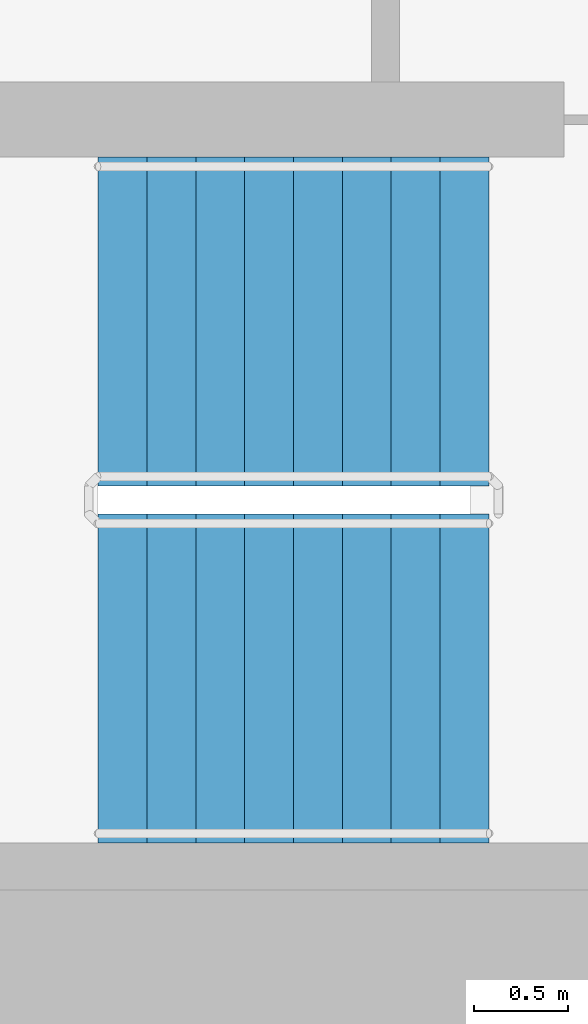
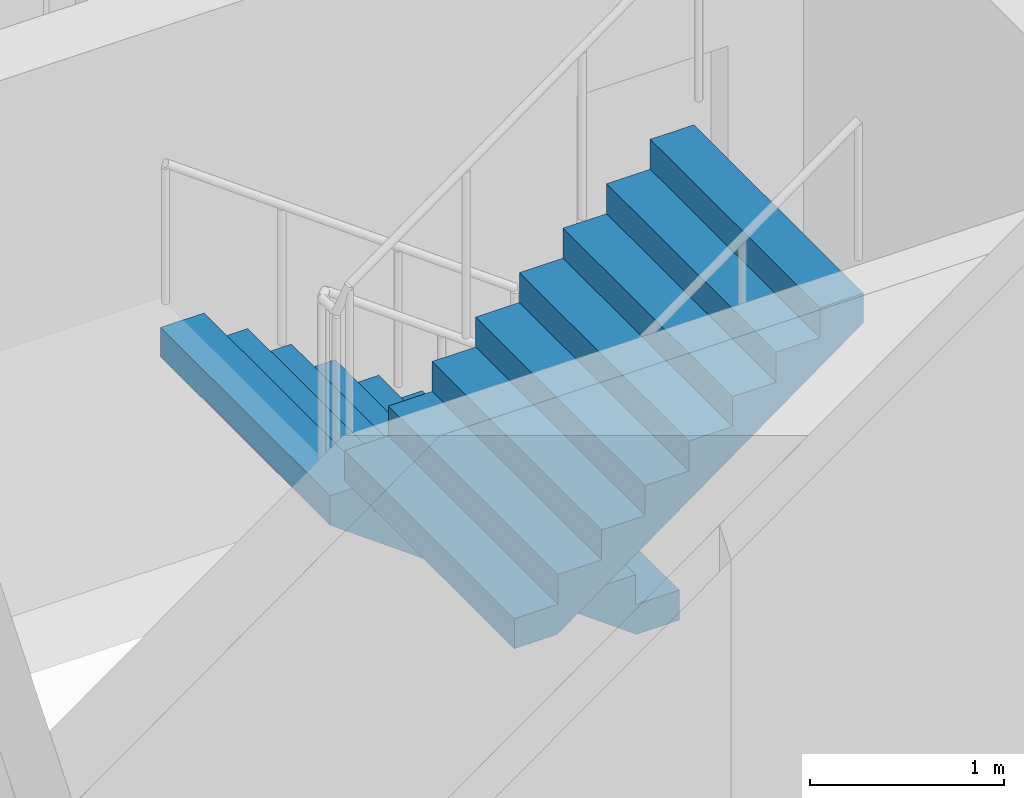
# One storey, part 14 of 20: 2 stair flights, 1 element without a shape of its own.
"""IFC4 building model written with IfcOpenShell, lengths in metres."""

from ifc_helpers import new_model, si_unit, direction, frame, origin, place, context, subcontext, project, spatial, faceted_brep, material, type_object, element, aggregate, save


model = new_model("IFC4")

# Units and contexts
model_context = context("Model", 3, precision=1e-05, world=origin(), true_north=direction((0.0, 1.0)))
body_context = subcontext(model_context, "Body", "Model", "MODEL_VIEW")
ifc_project = project(units=[si_unit("LENGTHUNIT", "METRE"), si_unit("AREAUNIT", "SQUARE_METRE"), si_unit("VOLUMEUNIT", "CUBIC_METRE"), si_unit("PLANEANGLEUNIT", "RADIAN"), si_unit("MASSUNIT", "GRAM", prefix="KILO")], contexts=[model_context])

# Site, building, storey
site_placement = place(None, origin())
site = spatial("IfcSite", under=ifc_project, at=site_placement, CompositionType="ELEMENT")
building_placement = place(site_placement, origin())
building = spatial("IfcBuilding", under=site, at=building_placement, Name="Ipe Terrace Towers", CompositionType="ELEMENT")
storey_placement = place(building_placement, frame((0.0, 0.0, 100.39990234375)))
storey = spatial("IfcBuildingStorey", under=building, at=storey_placement, Name="L27", CompositionType="ELEMENT", Elevation=100.39990234375)

# Stair, stair flights
ifc_material_1 = material(Name="Concrete C30/37", Category="concrete")
stair_type = type_object("IfcStairType", Name="Protected exit stair", PredefinedType="HALF_TURN_STAIR", material=ifc_material_1)
stair_placement = place(storey_placement, origin())
stair = element("IfcStair", 1, at=stair_placement, inside=storey, type_object=stair_type, Name="L27 Exit stair T1-C2", PredefinedType="HALF_TURN_STAIR")
ifc_material_2 = material(Name="Concrete C30/37", Category="concrete")
stair_flight_type = type_object("IfcStairFlightType", Name="Exit stair flight 1750", PredefinedType="STRAIGHT", material=ifc_material_2)
stair_flight_1_placement = place(storey_placement, frame((-45.699951171875, -2.77490234375, 0.0), z_axis=(0.0, 0.0, 1.0), x_axis=(-1.0, 0.0, 0.0)))
stair_flight_1 = element("IfcStairFlight", 2, at=stair_flight_1_placement, type_object=stair_flight_type, Name="T1-ST2 flight 1", NumberOfRisers=9, NumberOfTreads=8, PredefinedType="STRAIGHT", RiserHeight=0.188888889, TreadLength=0.26, context=body_context, shape_type="Brep", body=[
    faceted_brep([(0.255126953125, -0.875, 0.0), (2.080078125, -0.875, 1.325927734375), (2.080078125, -0.875, 1.51123046875), (1.820068359375, -0.875, 1.51123046875), (1.820068359375, -0.875, 1.322265625), (1.56005859375, -0.875, 1.322265625), (1.56005859375, -0.875, 1.13330078125), (1.300048828125, -0.875, 1.13330078125), (1.300048828125, -0.875, 0.9443359375), (1.0400390625, -0.875, 0.9443359375), (1.0400390625, -0.875, 0.755615234375), (0.780029296875, -0.875, 0.755615234375), (0.780029296875, -0.875, 0.566650390625), (0.52001953125, -0.875, 0.566650390625), (0.52001953125, -0.875, 0.377685546875), (0.260009765625, -0.875, 0.377685546875), (0.260009765625, -0.875, 0.18896484375), (0.0, -0.875, 0.18896484375), (0.0, -0.875, 0.0), (0.0, 0.875, 0.0), (0.0, 0.875, 0.18896484375), (0.260009765625, 0.875, 0.18896484375), (0.260009765625, 0.875, 0.377685546875), (0.52001953125, 0.875, 0.377685546875), (0.52001953125, 0.875, 0.566650390625), (0.780029296875, 0.875, 0.566650390625), (0.780029296875, 0.875, 0.755615234375), (1.0400390625, 0.875, 0.755615234375), (1.0400390625, 0.875, 0.9443359375), (1.300048828125, 0.875, 0.9443359375), (1.300048828125, 0.875, 1.13330078125), (1.56005859375, 0.875, 1.13330078125), (1.56005859375, 0.875, 1.322265625), (1.820068359375, 0.875, 1.322265625), (1.820068359375, 0.875, 1.51123046875), (2.080078125, 0.875, 1.51123046875), (2.080078125, 0.875, 1.325927734375), (0.255126953125, 0.875, 0.0), (0.0, -0.300048828125, 0.18896484375), (0.0, -0.1201171875, 0.18896484375), (0.0, -0.06005859375, 0.18896484375), (0.0, -0.030029296875, 0.18896484375), (0.0, -0.010009765625, 0.18896484375), (0.0, 0.0, 0.18896484375), (0.0, 0.010009765625, 0.18896484375), (0.0, 0.030029296875, 0.18896484375), (0.0, 0.06005859375, 0.18896484375), (0.0, 0.1201171875, 0.18896484375), (0.0, 0.300048828125, 0.18896484375), (0.0, 0.300048828125, 0.0), (0.0, 0.1201171875, 0.0), (0.0, 0.06005859375, 0.0), (0.0, 0.030029296875, 0.0), (0.0, 0.010009765625, 0.0), (0.0, 0.0, 0.0), (0.0, -0.010009765625, 0.0), (0.0, -0.030029296875, 0.0), (0.0, -0.06005859375, 0.0), (0.0, -0.1201171875, 0.0), (0.0, -0.300048828125, 0.0), (0.260009765625, -0.300048828125, 0.18896484375), (0.260009765625, -0.1201171875, 0.18896484375), (0.260009765625, -0.06005859375, 0.18896484375), (0.260009765625, -0.030029296875, 0.18896484375), (0.260009765625, -0.010009765625, 0.18896484375), (0.260009765625, 0.0, 0.18896484375), (0.260009765625, 0.010009765625, 0.18896484375), (0.260009765625, 0.030029296875, 0.18896484375), (0.260009765625, 0.06005859375, 0.18896484375), (0.260009765625, 0.1201171875, 0.18896484375), (0.260009765625, 0.300048828125, 0.18896484375), (0.260009765625, -0.300048828125, 0.377685546875), (0.260009765625, -0.1201171875, 0.377685546875), (0.260009765625, -0.06005859375, 0.377685546875), (0.260009765625, -0.030029296875, 0.377685546875), (0.260009765625, -0.010009765625, 0.377685546875), (0.260009765625, 0.0, 0.377685546875), (0.260009765625, 0.010009765625, 0.377685546875), (0.260009765625, 0.030029296875, 0.377685546875), (0.260009765625, 0.06005859375, 0.377685546875), (0.260009765625, 0.1201171875, 0.377685546875), (0.260009765625, 0.300048828125, 0.377685546875), (0.52001953125, -0.300048828125, 0.377685546875), (0.52001953125, -0.1201171875, 0.377685546875), (0.52001953125, -0.06005859375, 0.377685546875), (0.52001953125, -0.030029296875, 0.377685546875), (0.52001953125, -0.010009765625, 0.377685546875), (0.52001953125, 0.0, 0.377685546875), (0.52001953125, 0.010009765625, 0.377685546875), (0.52001953125, 0.030029296875, 0.377685546875), (0.52001953125, 0.06005859375, 0.377685546875), (0.52001953125, 0.1201171875, 0.377685546875), (0.52001953125, 0.300048828125, 0.377685546875), (0.52001953125, -0.300048828125, 0.566650390625), (0.52001953125, -0.1201171875, 0.566650390625), (0.52001953125, -0.06005859375, 0.566650390625), (0.52001953125, -0.030029296875, 0.566650390625), (0.52001953125, -0.010009765625, 0.566650390625), (0.52001953125, 0.0, 0.566650390625), (0.52001953125, 0.010009765625, 0.566650390625), (0.52001953125, 0.030029296875, 0.566650390625), (0.52001953125, 0.06005859375, 0.566650390625), (0.52001953125, 0.1201171875, 0.566650390625), (0.52001953125, 0.300048828125, 0.566650390625), (0.780029296875, -0.300048828125, 0.566650390625), (0.780029296875, -0.1201171875, 0.566650390625), (0.780029296875, -0.06005859375, 0.566650390625), (0.780029296875, -0.030029296875, 0.566650390625), (0.780029296875, -0.010009765625, 0.566650390625), (0.780029296875, 0.0, 0.566650390625), (0.780029296875, 0.010009765625, 0.566650390625), (0.780029296875, 0.030029296875, 0.566650390625), (0.780029296875, 0.06005859375, 0.566650390625), (0.780029296875, 0.1201171875, 0.566650390625), (0.780029296875, 0.300048828125, 0.566650390625), (0.780029296875, -0.300048828125, 0.755615234375), (0.780029296875, -0.1201171875, 0.755615234375), (0.780029296875, -0.06005859375, 0.755615234375), (0.780029296875, -0.030029296875, 0.755615234375), (0.780029296875, -0.010009765625, 0.755615234375), (0.780029296875, 0.0, 0.755615234375), (0.780029296875, 0.010009765625, 0.755615234375), (0.780029296875, 0.030029296875, 0.755615234375), (0.780029296875, 0.06005859375, 0.755615234375), (0.780029296875, 0.1201171875, 0.755615234375), (0.780029296875, 0.300048828125, 0.755615234375), (1.0400390625, -0.300048828125, 0.755615234375), (1.0400390625, -0.1201171875, 0.755615234375), (1.0400390625, -0.06005859375, 0.755615234375), (1.0400390625, -0.030029296875, 0.755615234375), (1.0400390625, -0.010009765625, 0.755615234375), (1.0400390625, 0.0, 0.755615234375), (1.0400390625, 0.010009765625, 0.755615234375), (1.0400390625, 0.030029296875, 0.755615234375), (1.0400390625, 0.06005859375, 0.755615234375), (1.0400390625, 0.1201171875, 0.755615234375), (1.0400390625, 0.300048828125, 0.755615234375), (1.0400390625, -0.300048828125, 0.9443359375), (1.0400390625, -0.1201171875, 0.9443359375), (1.0400390625, -0.06005859375, 0.9443359375), (1.0400390625, -0.030029296875, 0.9443359375), (1.0400390625, -0.010009765625, 0.9443359375), (1.0400390625, 0.0, 0.9443359375), (1.0400390625, 0.010009765625, 0.9443359375), (1.0400390625, 0.030029296875, 0.9443359375), (1.0400390625, 0.06005859375, 0.9443359375), (1.0400390625, 0.1201171875, 0.9443359375), (1.0400390625, 0.300048828125, 0.9443359375), (1.300048828125, -0.300048828125, 0.9443359375), (1.300048828125, -0.1201171875, 0.9443359375), (1.300048828125, -0.06005859375, 0.9443359375), (1.300048828125, -0.030029296875, 0.9443359375), (1.300048828125, -0.010009765625, 0.9443359375), (1.300048828125, 0.0, 0.9443359375), (1.300048828125, 0.010009765625, 0.9443359375), (1.300048828125, 0.030029296875, 0.9443359375), (1.300048828125, 0.06005859375, 0.9443359375), (1.300048828125, 0.1201171875, 0.9443359375), (1.300048828125, 0.300048828125, 0.9443359375), (1.300048828125, -0.300048828125, 1.13330078125), (1.300048828125, -0.1201171875, 1.13330078125), (1.300048828125, -0.06005859375, 1.13330078125), (1.300048828125, -0.030029296875, 1.13330078125), (1.300048828125, -0.010009765625, 1.13330078125), (1.300048828125, 0.0, 1.13330078125), (1.300048828125, 0.010009765625, 1.13330078125), (1.300048828125, 0.030029296875, 1.13330078125), (1.300048828125, 0.06005859375, 1.13330078125), (1.300048828125, 0.1201171875, 1.13330078125), (1.300048828125, 0.300048828125, 1.13330078125), (1.56005859375, -0.300048828125, 1.13330078125), (1.56005859375, -0.1201171875, 1.13330078125), (1.56005859375, -0.06005859375, 1.13330078125), (1.56005859375, -0.030029296875, 1.13330078125), (1.56005859375, -0.010009765625, 1.13330078125), (1.56005859375, 0.0, 1.13330078125), (1.56005859375, 0.010009765625, 1.13330078125), (1.56005859375, 0.030029296875, 1.13330078125), (1.56005859375, 0.06005859375, 1.13330078125), (1.56005859375, 0.1201171875, 1.13330078125), (1.56005859375, 0.300048828125, 1.13330078125), (1.56005859375, -0.300048828125, 1.322265625), (1.56005859375, -0.1201171875, 1.322265625), (1.56005859375, -0.06005859375, 1.322265625), (1.56005859375, -0.030029296875, 1.322265625), (1.56005859375, -0.010009765625, 1.322265625), (1.56005859375, 0.0, 1.322265625), (1.56005859375, 0.010009765625, 1.322265625), (1.56005859375, 0.030029296875, 1.322265625), (1.56005859375, 0.06005859375, 1.322265625), (1.56005859375, 0.1201171875, 1.322265625), (1.56005859375, 0.300048828125, 1.322265625), (1.820068359375, -0.300048828125, 1.322265625), (1.820068359375, -0.1201171875, 1.322265625), (1.820068359375, -0.06005859375, 1.322265625), (1.820068359375, -0.030029296875, 1.322265625), (1.820068359375, -0.010009765625, 1.322265625), (1.820068359375, 0.0, 1.322265625), (1.820068359375, 0.010009765625, 1.322265625), (1.820068359375, 0.030029296875, 1.322265625), (1.820068359375, 0.06005859375, 1.322265625), (1.820068359375, 0.1201171875, 1.322265625), (1.820068359375, 0.300048828125, 1.322265625), (1.820068359375, -0.300048828125, 1.51123046875), (1.820068359375, -0.1201171875, 1.51123046875), (1.820068359375, -0.06005859375, 1.51123046875), (1.820068359375, -0.030029296875, 1.51123046875), (1.820068359375, -0.010009765625, 1.51123046875), (1.820068359375, 0.0, 1.51123046875), (1.820068359375, 0.010009765625, 1.51123046875), (1.820068359375, 0.030029296875, 1.51123046875), (1.820068359375, 0.06005859375, 1.51123046875), (1.820068359375, 0.1201171875, 1.51123046875), (1.820068359375, 0.300048828125, 1.51123046875), (2.080078125, -0.300048828125, 1.51123046875), (2.080078125, -0.1201171875, 1.51123046875), (2.080078125, -0.06005859375, 1.51123046875), (2.080078125, -0.030029296875, 1.51123046875), (2.080078125, -0.010009765625, 1.51123046875), (2.080078125, 0.0, 1.51123046875), (2.080078125, 0.010009765625, 1.51123046875), (2.080078125, 0.030029296875, 1.51123046875), (2.080078125, 0.06005859375, 1.51123046875), (2.080078125, 0.1201171875, 1.51123046875), (2.080078125, 0.300048828125, 1.51123046875), (2.080078125, -0.300048828125, 1.325927734375), (2.080078125, -0.1201171875, 1.325927734375), (2.080078125, -0.06005859375, 1.325927734375), (2.080078125, -0.030029296875, 1.325927734375), (2.080078125, -0.010009765625, 1.325927734375), (2.080078125, 0.0, 1.325927734375), (2.080078125, 0.010009765625, 1.325927734375), (2.080078125, 0.030029296875, 1.325927734375), (2.080078125, 0.06005859375, 1.325927734375), (2.080078125, 0.1201171875, 1.325927734375), (2.080078125, 0.300048828125, 1.325927734375), (0.255126953125, -0.300048828125, 0.0), (0.255126953125, -0.1201171875, 0.0), (0.255126953125, -0.06005859375, 0.0), (0.255126953125, -0.030029296875, 0.0), (0.255126953125, -0.010009765625, 0.0), (0.255126953125, 0.0, 0.0), (0.255126953125, 0.010009765625, 0.0), (0.255126953125, 0.030029296875, 0.0), (0.255126953125, 0.06005859375, 0.0), (0.255126953125, 0.1201171875, 0.0), (0.255126953125, 0.300048828125, 0.0)], [[[0, 1, 2, 3, 4, 5, 6, 7, 8, 9, 10, 11, 12, 13, 14, 15, 16, 17, 18]], [[19, 20, 21, 22, 23, 24, 25, 26, 27, 28, 29, 30, 31, 32, 33, 34, 35, 36, 37]], [[17, 38, 39, 40, 41, 42, 43, 44, 45, 46, 47, 48, 20, 19, 49, 50, 51, 52, 53, 54, 55, 56, 57, 58, 59, 18]], [[16, 60, 61, 62, 63, 64, 65, 66, 67, 68, 69, 70, 21, 20, 48, 47, 46, 45, 44, 43, 42, 41, 40, 39, 38, 17]], [[15, 71, 72, 73, 74, 75, 76, 77, 78, 79, 80, 81, 22, 21, 70, 69, 68, 67, 66, 65, 64, 63, 62, 61, 60, 16]], [[14, 82, 83, 84, 85, 86, 87, 88, 89, 90, 91, 92, 23, 22, 81, 80, 79, 78, 77, 76, 75, 74, 73, 72, 71, 15]], [[13, 93, 94, 95, 96, 97, 98, 99, 100, 101, 102, 103, 24, 23, 92, 91, 90, 89, 88, 87, 86, 85, 84, 83, 82, 14]], [[12, 104, 105, 106, 107, 108, 109, 110, 111, 112, 113, 114, 25, 24, 103, 102, 101, 100, 99, 98, 97, 96, 95, 94, 93, 13]], [[11, 115, 116, 117, 118, 119, 120, 121, 122, 123, 124, 125, 26, 25, 114, 113, 112, 111, 110, 109, 108, 107, 106, 105, 104, 12]], [[10, 126, 127, 128, 129, 130, 131, 132, 133, 134, 135, 136, 27, 26, 125, 124, 123, 122, 121, 120, 119, 118, 117, 116, 115, 11]], [[9, 137, 138, 139, 140, 141, 142, 143, 144, 145, 146, 147, 28, 27, 136, 135, 134, 133, 132, 131, 130, 129, 128, 127, 126, 10]], [[8, 148, 149, 150, 151, 152, 153, 154, 155, 156, 157, 158, 29, 28, 147, 146, 145, 144, 143, 142, 141, 140, 139, 138, 137, 9]], [[7, 159, 160, 161, 162, 163, 164, 165, 166, 167, 168, 169, 30, 29, 158, 157, 156, 155, 154, 153, 152, 151, 150, 149, 148, 8]], [[6, 170, 171, 172, 173, 174, 175, 176, 177, 178, 179, 180, 31, 30, 169, 168, 167, 166, 165, 164, 163, 162, 161, 160, 159, 7]], [[5, 181, 182, 183, 184, 185, 186, 187, 188, 189, 190, 191, 32, 31, 180, 179, 178, 177, 176, 175, 174, 173, 172, 171, 170, 6]], [[4, 192, 193, 194, 195, 196, 197, 198, 199, 200, 201, 202, 33, 32, 191, 190, 189, 188, 187, 186, 185, 184, 183, 182, 181, 5]], [[3, 203, 204, 205, 206, 207, 208, 209, 210, 211, 212, 213, 34, 33, 202, 201, 200, 199, 198, 197, 196, 195, 194, 193, 192, 4]], [[2, 214, 215, 216, 217, 218, 219, 220, 221, 222, 223, 224, 35, 34, 213, 212, 211, 210, 209, 208, 207, 206, 205, 204, 203, 3]], [[1, 225, 226, 227, 228, 229, 230, 231, 232, 233, 234, 235, 36, 35, 224, 223, 222, 221, 220, 219, 218, 217, 216, 215, 214, 2]], [[0, 236, 237, 238, 239, 240, 241, 242, 243, 244, 245, 246, 37, 36, 235, 234, 233, 232, 231, 230, 229, 228, 227, 226, 225, 1]], [[18, 59, 58, 57, 56, 55, 54, 53, 52, 51, 50, 49, 19, 37, 246, 245, 244, 243, 242, 241, 240, 239, 238, 237, 236, 0]]]),
])
stair_flight_2_placement = place(storey_placement, frame((-47.780029296875, -4.675048828125, 1.7001953125), z_axis=(0.0, 0.0, 1.0), x_axis=(1.0, 0.0, 0.0)))
stair_flight_2 = element("IfcStairFlight", 3, at=stair_flight_2_placement, type_object=stair_flight_type, Name="T1-ST2 flight 2", NumberOfRisers=9, NumberOfTreads=8, PredefinedType="STRAIGHT", RiserHeight=0.188888889, TreadLength=0.26, context=body_context, shape_type="Brep", body=[
    faceted_brep([(0.255126953125, -0.875, 0.0), (2.080078125, -0.875, 1.325927734375), (2.080078125, -0.875, 1.51123046875), (1.820068359375, -0.875, 1.51123046875), (1.820068359375, -0.875, 1.322265625), (1.56005859375, -0.875, 1.322265625), (1.56005859375, -0.875, 1.13330078125), (1.300048828125, -0.875, 1.13330078125), (1.300048828125, -0.875, 0.9443359375), (1.0400390625, -0.875, 0.9443359375), (1.0400390625, -0.875, 0.755615234375), (0.780029296875, -0.875, 0.755615234375), (0.780029296875, -0.875, 0.566650390625), (0.52001953125, -0.875, 0.566650390625), (0.52001953125, -0.875, 0.377685546875), (0.260009765625, -0.875, 0.377685546875), (0.260009765625, -0.875, 0.18896484375), (0.0, -0.875, 0.18896484375), (0.0, -0.875, 0.0), (0.0, 0.875, 0.0), (0.0, 0.875, 0.18896484375), (0.260009765625, 0.875, 0.18896484375), (0.260009765625, 0.875, 0.377685546875), (0.52001953125, 0.875, 0.377685546875), (0.52001953125, 0.875, 0.566650390625), (0.780029296875, 0.875, 0.566650390625), (0.780029296875, 0.875, 0.755615234375), (1.0400390625, 0.875, 0.755615234375), (1.0400390625, 0.875, 0.9443359375), (1.300048828125, 0.875, 0.9443359375), (1.300048828125, 0.875, 1.13330078125), (1.56005859375, 0.875, 1.13330078125), (1.56005859375, 0.875, 1.322265625), (1.820068359375, 0.875, 1.322265625), (1.820068359375, 0.875, 1.51123046875), (2.080078125, 0.875, 1.51123046875), (2.080078125, 0.875, 1.325927734375), (0.255126953125, 0.875, 0.0), (0.0, -0.300048828125, 0.18896484375), (0.0, -0.1201171875, 0.18896484375), (0.0, -0.06005859375, 0.18896484375), (0.0, -0.030029296875, 0.18896484375), (0.0, -0.010009765625, 0.18896484375), (0.0, 0.0, 0.18896484375), (0.0, 0.010009765625, 0.18896484375), (0.0, 0.030029296875, 0.18896484375), (0.0, 0.06005859375, 0.18896484375), (0.0, 0.1201171875, 0.18896484375), (0.0, 0.300048828125, 0.18896484375), (0.0, 0.300048828125, 0.0), (0.0, 0.1201171875, 0.0), (0.0, 0.06005859375, 0.0), (0.0, 0.030029296875, 0.0), (0.0, 0.010009765625, 0.0), (0.0, 0.0, 0.0), (0.0, -0.010009765625, 0.0), (0.0, -0.030029296875, 0.0), (0.0, -0.06005859375, 0.0), (0.0, -0.1201171875, 0.0), (0.0, -0.300048828125, 0.0), (0.260009765625, -0.300048828125, 0.18896484375), (0.260009765625, -0.1201171875, 0.18896484375), (0.260009765625, -0.06005859375, 0.18896484375), (0.260009765625, -0.030029296875, 0.18896484375), (0.260009765625, -0.010009765625, 0.18896484375), (0.260009765625, 0.0, 0.18896484375), (0.260009765625, 0.010009765625, 0.18896484375), (0.260009765625, 0.030029296875, 0.18896484375), (0.260009765625, 0.06005859375, 0.18896484375), (0.260009765625, 0.1201171875, 0.18896484375), (0.260009765625, 0.300048828125, 0.18896484375), (0.260009765625, -0.300048828125, 0.377685546875), (0.260009765625, -0.1201171875, 0.377685546875), (0.260009765625, -0.06005859375, 0.377685546875), (0.260009765625, -0.030029296875, 0.377685546875), (0.260009765625, -0.010009765625, 0.377685546875), (0.260009765625, 0.0, 0.377685546875), (0.260009765625, 0.010009765625, 0.377685546875), (0.260009765625, 0.030029296875, 0.377685546875), (0.260009765625, 0.06005859375, 0.377685546875), (0.260009765625, 0.1201171875, 0.377685546875), (0.260009765625, 0.300048828125, 0.377685546875), (0.52001953125, -0.300048828125, 0.377685546875), (0.52001953125, -0.1201171875, 0.377685546875), (0.52001953125, -0.06005859375, 0.377685546875), (0.52001953125, -0.030029296875, 0.377685546875), (0.52001953125, -0.010009765625, 0.377685546875), (0.52001953125, 0.0, 0.377685546875), (0.52001953125, 0.010009765625, 0.377685546875), (0.52001953125, 0.030029296875, 0.377685546875), (0.52001953125, 0.06005859375, 0.377685546875), (0.52001953125, 0.1201171875, 0.377685546875), (0.52001953125, 0.300048828125, 0.377685546875), (0.52001953125, -0.300048828125, 0.566650390625), (0.52001953125, -0.1201171875, 0.566650390625), (0.52001953125, -0.06005859375, 0.566650390625), (0.52001953125, -0.030029296875, 0.566650390625), (0.52001953125, -0.010009765625, 0.566650390625), (0.52001953125, 0.0, 0.566650390625), (0.52001953125, 0.010009765625, 0.566650390625), (0.52001953125, 0.030029296875, 0.566650390625), (0.52001953125, 0.06005859375, 0.566650390625), (0.52001953125, 0.1201171875, 0.566650390625), (0.52001953125, 0.300048828125, 0.566650390625), (0.780029296875, -0.300048828125, 0.566650390625), (0.780029296875, -0.1201171875, 0.566650390625), (0.780029296875, -0.06005859375, 0.566650390625), (0.780029296875, -0.030029296875, 0.566650390625), (0.780029296875, -0.010009765625, 0.566650390625), (0.780029296875, 0.0, 0.566650390625), (0.780029296875, 0.010009765625, 0.566650390625), (0.780029296875, 0.030029296875, 0.566650390625), (0.780029296875, 0.06005859375, 0.566650390625), (0.780029296875, 0.1201171875, 0.566650390625), (0.780029296875, 0.300048828125, 0.566650390625), (0.780029296875, -0.300048828125, 0.755615234375), (0.780029296875, -0.1201171875, 0.755615234375), (0.780029296875, -0.06005859375, 0.755615234375), (0.780029296875, -0.030029296875, 0.755615234375), (0.780029296875, -0.010009765625, 0.755615234375), (0.780029296875, 0.0, 0.755615234375), (0.780029296875, 0.010009765625, 0.755615234375), (0.780029296875, 0.030029296875, 0.755615234375), (0.780029296875, 0.06005859375, 0.755615234375), (0.780029296875, 0.1201171875, 0.755615234375), (0.780029296875, 0.300048828125, 0.755615234375), (1.0400390625, -0.300048828125, 0.755615234375), (1.0400390625, -0.1201171875, 0.755615234375), (1.0400390625, -0.06005859375, 0.755615234375), (1.0400390625, -0.030029296875, 0.755615234375), (1.0400390625, -0.010009765625, 0.755615234375), (1.0400390625, 0.0, 0.755615234375), (1.0400390625, 0.010009765625, 0.755615234375), (1.0400390625, 0.030029296875, 0.755615234375), (1.0400390625, 0.06005859375, 0.755615234375), (1.0400390625, 0.1201171875, 0.755615234375), (1.0400390625, 0.300048828125, 0.755615234375), (1.0400390625, -0.300048828125, 0.9443359375), (1.0400390625, -0.1201171875, 0.9443359375), (1.0400390625, -0.06005859375, 0.9443359375), (1.0400390625, -0.030029296875, 0.9443359375), (1.0400390625, -0.010009765625, 0.9443359375), (1.0400390625, 0.0, 0.9443359375), (1.0400390625, 0.010009765625, 0.9443359375), (1.0400390625, 0.030029296875, 0.9443359375), (1.0400390625, 0.06005859375, 0.9443359375), (1.0400390625, 0.1201171875, 0.9443359375), (1.0400390625, 0.300048828125, 0.9443359375), (1.300048828125, -0.300048828125, 0.9443359375), (1.300048828125, -0.1201171875, 0.9443359375), (1.300048828125, -0.06005859375, 0.9443359375), (1.300048828125, -0.030029296875, 0.9443359375), (1.300048828125, -0.010009765625, 0.9443359375), (1.300048828125, 0.0, 0.9443359375), (1.300048828125, 0.010009765625, 0.9443359375), (1.300048828125, 0.030029296875, 0.9443359375), (1.300048828125, 0.06005859375, 0.9443359375), (1.300048828125, 0.1201171875, 0.9443359375), (1.300048828125, 0.300048828125, 0.9443359375), (1.300048828125, -0.300048828125, 1.13330078125), (1.300048828125, -0.1201171875, 1.13330078125), (1.300048828125, -0.06005859375, 1.13330078125), (1.300048828125, -0.030029296875, 1.13330078125), (1.300048828125, -0.010009765625, 1.13330078125), (1.300048828125, 0.0, 1.13330078125), (1.300048828125, 0.010009765625, 1.13330078125), (1.300048828125, 0.030029296875, 1.13330078125), (1.300048828125, 0.06005859375, 1.13330078125), (1.300048828125, 0.1201171875, 1.13330078125), (1.300048828125, 0.300048828125, 1.13330078125), (1.56005859375, -0.300048828125, 1.13330078125), (1.56005859375, -0.1201171875, 1.13330078125), (1.56005859375, -0.06005859375, 1.13330078125), (1.56005859375, -0.030029296875, 1.13330078125), (1.56005859375, -0.010009765625, 1.13330078125), (1.56005859375, 0.0, 1.13330078125), (1.56005859375, 0.010009765625, 1.13330078125), (1.56005859375, 0.030029296875, 1.13330078125), (1.56005859375, 0.06005859375, 1.13330078125), (1.56005859375, 0.1201171875, 1.13330078125), (1.56005859375, 0.300048828125, 1.13330078125), (1.56005859375, -0.300048828125, 1.322265625), (1.56005859375, -0.1201171875, 1.322265625), (1.56005859375, -0.06005859375, 1.322265625), (1.56005859375, -0.030029296875, 1.322265625), (1.56005859375, -0.010009765625, 1.322265625), (1.56005859375, 0.0, 1.322265625), (1.56005859375, 0.010009765625, 1.322265625), (1.56005859375, 0.030029296875, 1.322265625), (1.56005859375, 0.06005859375, 1.322265625), (1.56005859375, 0.1201171875, 1.322265625), (1.56005859375, 0.300048828125, 1.322265625), (1.820068359375, -0.300048828125, 1.322265625), (1.820068359375, -0.1201171875, 1.322265625), (1.820068359375, -0.06005859375, 1.322265625), (1.820068359375, -0.030029296875, 1.322265625), (1.820068359375, -0.010009765625, 1.322265625), (1.820068359375, 0.0, 1.322265625), (1.820068359375, 0.010009765625, 1.322265625), (1.820068359375, 0.030029296875, 1.322265625), (1.820068359375, 0.06005859375, 1.322265625), (1.820068359375, 0.1201171875, 1.322265625), (1.820068359375, 0.300048828125, 1.322265625), (1.820068359375, -0.300048828125, 1.51123046875), (1.820068359375, -0.1201171875, 1.51123046875), (1.820068359375, -0.06005859375, 1.51123046875), (1.820068359375, -0.030029296875, 1.51123046875), (1.820068359375, -0.010009765625, 1.51123046875), (1.820068359375, 0.0, 1.51123046875), (1.820068359375, 0.010009765625, 1.51123046875), (1.820068359375, 0.030029296875, 1.51123046875), (1.820068359375, 0.06005859375, 1.51123046875), (1.820068359375, 0.1201171875, 1.51123046875), (1.820068359375, 0.300048828125, 1.51123046875), (2.080078125, -0.300048828125, 1.51123046875), (2.080078125, -0.1201171875, 1.51123046875), (2.080078125, -0.06005859375, 1.51123046875), (2.080078125, -0.030029296875, 1.51123046875), (2.080078125, -0.010009765625, 1.51123046875), (2.080078125, 0.0, 1.51123046875), (2.080078125, 0.010009765625, 1.51123046875), (2.080078125, 0.030029296875, 1.51123046875), (2.080078125, 0.06005859375, 1.51123046875), (2.080078125, 0.1201171875, 1.51123046875), (2.080078125, 0.300048828125, 1.51123046875), (2.080078125, -0.300048828125, 1.325927734375), (2.080078125, -0.1201171875, 1.325927734375), (2.080078125, -0.06005859375, 1.325927734375), (2.080078125, -0.030029296875, 1.325927734375), (2.080078125, -0.010009765625, 1.325927734375), (2.080078125, 0.0, 1.325927734375), (2.080078125, 0.010009765625, 1.325927734375), (2.080078125, 0.030029296875, 1.325927734375), (2.080078125, 0.06005859375, 1.325927734375), (2.080078125, 0.1201171875, 1.325927734375), (2.080078125, 0.300048828125, 1.325927734375), (0.255126953125, -0.300048828125, 0.0), (0.255126953125, -0.1201171875, 0.0), (0.255126953125, -0.06005859375, 0.0), (0.255126953125, -0.030029296875, 0.0), (0.255126953125, -0.010009765625, 0.0), (0.255126953125, 0.0, 0.0), (0.255126953125, 0.010009765625, 0.0), (0.255126953125, 0.030029296875, 0.0), (0.255126953125, 0.06005859375, 0.0), (0.255126953125, 0.1201171875, 0.0), (0.255126953125, 0.300048828125, 0.0)], [[[0, 1, 2, 3, 4, 5, 6, 7, 8, 9, 10, 11, 12, 13, 14, 15, 16, 17, 18]], [[19, 20, 21, 22, 23, 24, 25, 26, 27, 28, 29, 30, 31, 32, 33, 34, 35, 36, 37]], [[17, 38, 39, 40, 41, 42, 43, 44, 45, 46, 47, 48, 20, 19, 49, 50, 51, 52, 53, 54, 55, 56, 57, 58, 59, 18]], [[16, 60, 61, 62, 63, 64, 65, 66, 67, 68, 69, 70, 21, 20, 48, 47, 46, 45, 44, 43, 42, 41, 40, 39, 38, 17]], [[15, 71, 72, 73, 74, 75, 76, 77, 78, 79, 80, 81, 22, 21, 70, 69, 68, 67, 66, 65, 64, 63, 62, 61, 60, 16]], [[14, 82, 83, 84, 85, 86, 87, 88, 89, 90, 91, 92, 23, 22, 81, 80, 79, 78, 77, 76, 75, 74, 73, 72, 71, 15]], [[13, 93, 94, 95, 96, 97, 98, 99, 100, 101, 102, 103, 24, 23, 92, 91, 90, 89, 88, 87, 86, 85, 84, 83, 82, 14]], [[12, 104, 105, 106, 107, 108, 109, 110, 111, 112, 113, 114, 25, 24, 103, 102, 101, 100, 99, 98, 97, 96, 95, 94, 93, 13]], [[11, 115, 116, 117, 118, 119, 120, 121, 122, 123, 124, 125, 26, 25, 114, 113, 112, 111, 110, 109, 108, 107, 106, 105, 104, 12]], [[10, 126, 127, 128, 129, 130, 131, 132, 133, 134, 135, 136, 27, 26, 125, 124, 123, 122, 121, 120, 119, 118, 117, 116, 115, 11]], [[9, 137, 138, 139, 140, 141, 142, 143, 144, 145, 146, 147, 28, 27, 136, 135, 134, 133, 132, 131, 130, 129, 128, 127, 126, 10]], [[8, 148, 149, 150, 151, 152, 153, 154, 155, 156, 157, 158, 29, 28, 147, 146, 145, 144, 143, 142, 141, 140, 139, 138, 137, 9]], [[7, 159, 160, 161, 162, 163, 164, 165, 166, 167, 168, 169, 30, 29, 158, 157, 156, 155, 154, 153, 152, 151, 150, 149, 148, 8]], [[6, 170, 171, 172, 173, 174, 175, 176, 177, 178, 179, 180, 31, 30, 169, 168, 167, 166, 165, 164, 163, 162, 161, 160, 159, 7]], [[5, 181, 182, 183, 184, 185, 186, 187, 188, 189, 190, 191, 32, 31, 180, 179, 178, 177, 176, 175, 174, 173, 172, 171, 170, 6]], [[4, 192, 193, 194, 195, 196, 197, 198, 199, 200, 201, 202, 33, 32, 191, 190, 189, 188, 187, 186, 185, 184, 183, 182, 181, 5]], [[3, 203, 204, 205, 206, 207, 208, 209, 210, 211, 212, 213, 34, 33, 202, 201, 200, 199, 198, 197, 196, 195, 194, 193, 192, 4]], [[2, 214, 215, 216, 217, 218, 219, 220, 221, 222, 223, 224, 35, 34, 213, 212, 211, 210, 209, 208, 207, 206, 205, 204, 203, 3]], [[1, 225, 226, 227, 228, 229, 230, 231, 232, 233, 234, 235, 36, 35, 224, 223, 222, 221, 220, 219, 218, 217, 216, 215, 214, 2]], [[0, 236, 237, 238, 239, 240, 241, 242, 243, 244, 245, 246, 37, 36, 235, 234, 233, 232, 231, 230, 229, 228, 227, 226, 225, 1]], [[18, 59, 58, 57, 56, 55, 54, 53, 52, 51, 50, 49, 19, 37, 246, 245, 244, 243, 242, 241, 240, 239, 238, 237, 236, 0]]]),
])
aggregate(stair, [stair_flight_1, stair_flight_2])

save(model, "model.ifc")
